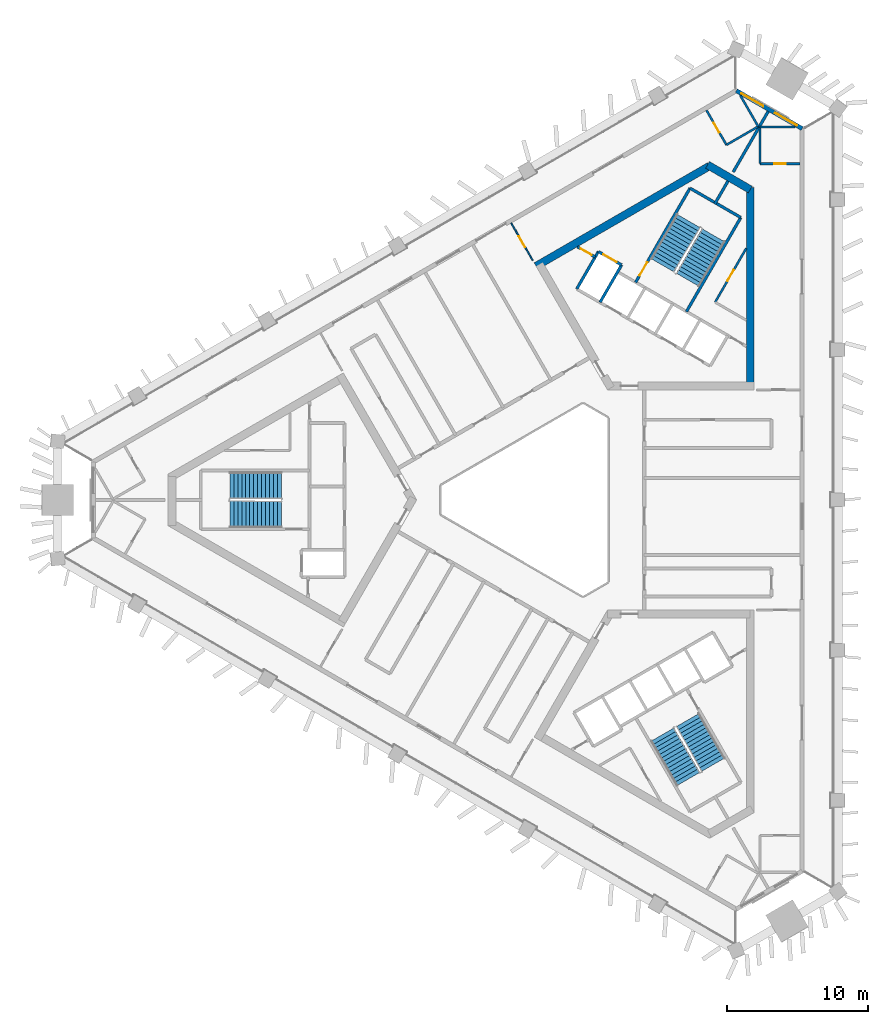
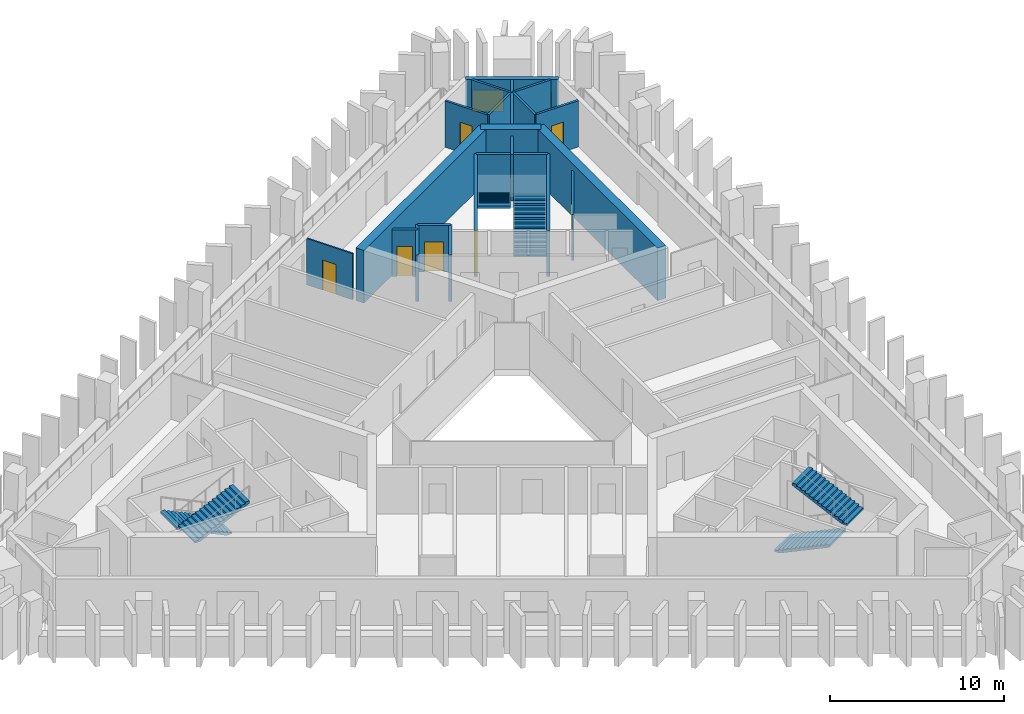
# One storey, part 6 of 9: 21 walls, 7 doors, 6 stair flights, 2 windows, 9 openings, 3 elements without a shape of their own.
"""IFC4 building model written with IfcOpenShell, lengths in metres."""

from ifc_helpers import new_model, si_unit, direction, frame, frame_2d, origin, place, context, subcontext, project, spatial, polyline, rectangle, outline, extrude, material, layer, layer_set, type_object, element, fill, aggregate, save


model = new_model("IFC4")

# Units and contexts
model_context = context("Model", 3, precision=1e-05, world=origin(), true_north=direction((0.0, 1.0)))
body_context = subcontext(model_context, "Body", "Model", "MODEL_VIEW")
ifc_project = project(units=[si_unit("LENGTHUNIT", "METRE"), si_unit("AREAUNIT", "SQUARE_METRE"), si_unit("VOLUMEUNIT", "CUBIC_METRE"), si_unit("PLANEANGLEUNIT", "RADIAN"), si_unit("MASSUNIT", "GRAM", prefix="KILO")], contexts=[model_context])

# Site, building, storey
site_placement = place(None, origin())
site = spatial("IfcSite", under=ifc_project, at=site_placement, CompositionType="ELEMENT")
building_placement = place(site_placement, origin())
building = spatial("IfcBuilding", under=site, at=building_placement, Name="Jabali Bay Hotel Tower and Convention Centre", CompositionType="ELEMENT")
storey_placement = place(building_placement, frame((0.0, 0.0, 189.60009765625)))
storey = spatial("IfcBuildingStorey", under=building, at=storey_placement, Name="L46", CompositionType="ELEMENT", Elevation=189.60009765625)

# Wall
ifc_material_1 = material(Name="Concrete C40", Category="concrete")
ifc_layer_1 = layer(ifc_material_1, 0.199951171875)
ifc_layer_set_1 = layer_set([ifc_layer_1], Name="Concrete C40")
wall_type_1 = type_object("IfcWallType", Name="Core partition wall 200", PredefinedType="PARTITIONING", material=ifc_layer_set_1)
wall_1_placement = place(storey_placement, frame((87.090087890625, 100.9404296875, 0.0), z_axis=(0.0, 0.0, 1.0), x_axis=(0.499951854219, 0.86605319898, 0.0)))
element("IfcWall", 1, at=wall_1_placement, inside=storey, type_object=wall_type_1, Name="Core wall 1.5 L46", PredefinedType="PARTITIONING", context=body_context, shape_type="SweptSolid", body=[
    extrude(rectangle(XDim=1.873291015625, YDim=0.199951171875, at=frame_2d((0.9365234375, 0.0))), origin(), (0.0, 0.0, 1.0), 3.25),
])

# Wall, opening, door
wall_2_placement = place(storey_placement, frame((78.630126953125, 97.187744140625, 0.0), z_axis=(0.0, 0.0, 1.0), x_axis=(-0.866003949776, 0.500037157592, 0.0)))
wall_2 = element("IfcWall", 2, at=wall_2_placement, inside=storey, type_object=wall_type_1, Name="Core wall 1.12 L46", PredefinedType="PARTITIONING", context=body_context, shape_type="SweptSolid", body=[
    extrude(rectangle(XDim=1.455078125, YDim=0.199951171875, at=frame_2d((0.7275390625, 0.0))), origin(), (0.0, 0.0, 1.0), 3.25),
])
opening_1_placement = place(wall_2_placement, frame((0.277587890625, 0.0, 0.0)))
opening_1 = element("IfcOpeningElement", 3, at=opening_1_placement, cuts=wall_2, Name="Opening D998", PredefinedType="OPENING", context=body_context, shape_type="SweptSolid", body=[
    extrude(rectangle(XDim=0.89990234375, YDim=2.10009765625, at=frame_2d((0.449951171875, 1.050048828125))), frame((0.0, 0.1103515625, 0.0), z_axis=(0.0, -1.0, 0.0), x_axis=(1.0, 0.0, 0.0)), (0.0, 0.0, 1.0), 0.220947265625),
])
ifc_material_2 = material(Name="Fire-rated steel door", Category="steel")
door_type_1 = type_object("IfcDoorType", Name="Vestibule fire door 900 x 2100", OperationType="NOTDEFINED", PredefinedType="NOTDEFINED", material=ifc_material_2)
door_1_placement = place(opening_1_placement, origin())
door_1 = element("IfcDoor", 4, at=door_1_placement, inside=storey, type_object=door_type_1, Name="Vestibule fire door D998", OperationType="SINGLE_SWING_LEFT", OverallHeight=2.10009765625, OverallWidth=0.89990234375, PredefinedType="NOTDEFINED", context=body_context, shape_type="SweptSolid", body=[
    extrude(rectangle(XDim=0.89990234375, YDim=2.10009765625, at=frame_2d((0.449951171875, 1.050048828125))), frame((0.0, 0.02490234375, 0.0), z_axis=(0.0, -1.0, 0.0), x_axis=(1.0, 0.0, 0.0)), (0.0, 0.0, 1.0), 0.050048828125),
])
fill(opening_1, door_1)

ifc_material_3 = material(Name="Fire-rated board partition")
ifc_layer_2 = layer(ifc_material_3, 0.14990234375)
ifc_layer_set_2 = layer_set([ifc_layer_2], Name="Fire-rated board partition")
wall_type_2 = type_object("IfcWallType", Name="Core room partition 150", PredefinedType="PARTITIONING", material=ifc_layer_set_2)
wall_3_placement = place(storey_placement, frame((87.12109375, 93.994384765625, 0.0), z_axis=(0.0, 0.0, 1.0), x_axis=(0.500014254795, 0.866017173618, 0.0)))
wall_3 = element("IfcWall", 5, at=wall_3_placement, inside=storey, type_object=wall_type_2, Name="Core wall 1.1 L46", PredefinedType="PARTITIONING", context=body_context, shape_type="SweptSolid", body=[
    extrude(rectangle(XDim=4.417724609375, YDim=0.14990234375, at=frame_2d((2.208984375, 0.0))), origin(), (0.0, 0.0, 1.0), 3.25),
])
opening_2_placement = place(wall_3_placement, frame((1.7314453125, 0.0, 0.0)))
opening_2 = element("IfcOpeningElement", 6, at=opening_2_placement, cuts=wall_3, Name="Opening D1001", PredefinedType="OPENING", context=body_context, shape_type="SweptSolid", body=[
    extrude(rectangle(XDim=0.89990234375, YDim=2.10009765625, at=frame_2d((0.449951171875, 1.050048828125))), frame((0.0, 0.08544921875, 0.0), z_axis=(0.0, -1.0, 0.0), x_axis=(1.0, 0.0, 0.0)), (0.0, 0.0, 1.0), 0.1708984375),
])
door_type_2 = type_object("IfcDoorType", Name="Core room door 900 x 2100", OperationType="NOTDEFINED", PredefinedType="NOTDEFINED", material=ifc_material_2)
door_2_placement = place(opening_2_placement, origin())
door_2 = element("IfcDoor", 7, at=door_2_placement, inside=storey, type_object=door_type_2, Name="Core room door D1001", OperationType="SINGLE_SWING_LEFT", OverallHeight=2.10009765625, OverallWidth=0.89990234375, PredefinedType="NOTDEFINED", context=body_context, shape_type="SweptSolid", body=[
    extrude(rectangle(XDim=0.89990234375, YDim=2.10009765625, at=frame_2d((0.449951171875, 1.050048828125))), frame((0.0, 0.02490234375, 0.0), z_axis=(0.0, -1.0, 0.0), x_axis=(1.0, 0.0, 0.0)), (0.0, 0.0, 1.0), 0.050048828125),
])
fill(opening_2, door_2)

# Wall
ifc_layer_3 = layer(ifc_material_1, 0.199951171875)
ifc_layer_set_3 = layer_set([ifc_layer_3], Name="Concrete C40")
wall_type_3 = type_object("IfcWallType", Name="Core stair wall 200", PredefinedType="SOLIDWALL", material=ifc_layer_set_3)
wall_4_placement = place(storey_placement, frame((85.0869140625, 93.3212890625, 0.0), z_axis=(0.0, 0.0, 1.0), x_axis=(0.500019787375, 0.866013979237, 0.0)))
element("IfcWall", 8, at=wall_4_placement, inside=storey, type_object=wall_type_3, Name="Core wall 1.3 L46", PredefinedType="SOLIDWALL", context=body_context, shape_type="SweptSolid", body=[
    extrude(rectangle(XDim=7.699951171875, YDim=0.199951171875, at=frame_2d((3.85009765625, 0.0))), origin(), (0.0, 0.0, 1.0), 3.25),
])

# Wall, opening, door
wall_5_placement = place(storey_placement, frame((81.492919921875, 95.396240234375, 0.0), z_axis=(0.0, 0.0, 1.0), x_axis=(0.500006057782, 0.866021906294, 0.0)))
wall_5 = element("IfcWall", 9, at=wall_5_placement, inside=storey, type_object=wall_type_3, Name="Core wall 1.7 L46", PredefinedType="SOLIDWALL", context=body_context, shape_type="SweptSolid", body=[
    extrude(rectangle(XDim=7.7001953125, YDim=0.199951171875, at=frame_2d((3.85009765625, 0.0))), origin(), (0.0, 0.0, 1.0), 3.25),
])
opening_3_placement = place(wall_5_placement, frame((0.550048828125, 0.0, 0.0)))
opening_3 = element("IfcOpeningElement", 10, at=opening_3_placement, cuts=wall_5, Name="Opening D1000", PredefinedType="OPENING", context=body_context, shape_type="SweptSolid", body=[
    extrude(rectangle(XDim=1.10009765625, YDim=2.10009765625, at=frame_2d((0.550048828125, 1.050048828125))), frame((0.0, 0.1103515625, 0.0), z_axis=(0.0, -1.0, 0.0), x_axis=(1.0, 0.0, 0.0)), (0.0, 0.0, 1.0), 0.220947265625),
])
door_type_3 = type_object("IfcDoorType", Name="Stair fire door 1100 x 2100", OperationType="NOTDEFINED", PredefinedType="NOTDEFINED", material=ifc_material_2)
door_3_placement = place(opening_3_placement, origin())
door_3 = element("IfcDoor", 11, at=door_3_placement, inside=storey, type_object=door_type_3, Name="Stair fire door D1000", OperationType="SINGLE_SWING_RIGHT", OverallHeight=2.10009765625, OverallWidth=1.10009765625, PredefinedType="NOTDEFINED", context=body_context, shape_type="SweptSolid", body=[
    extrude(rectangle(XDim=1.10009765625, YDim=2.10009765625, at=frame_2d((0.550048828125, 1.050048828125))), frame((0.0, 0.02490234375, 0.0), z_axis=(0.0, -1.0, 0.0), x_axis=(1.0, 0.0, 0.0)), (0.0, 0.0, 1.0), 0.050048828125),
])
fill(opening_3, door_3)

# Walls
for number, where, z_axis, x_axis, name in (
    (12, (78.9755859375, 93.98583984375, 0.0), (0.0, 0.0, 1.0), (0.499944174705, 0.866057632134, 0.0), "Core wall 1.8 L46"),
    (13, (77.330078125, 94.93603515625, 0.0), (0.0, 0.0, 1.0), (0.500038867431, 0.8660029625, 0.0), "Core wall 1.9 L46"),
):
    element("IfcWall", number, at=place(storey_placement, frame(where, z_axis=z_axis, x_axis=x_axis)), inside=storey, type_object=wall_type_3, Name=name, PredefinedType="SOLIDWALL", context=body_context, shape_type="SweptSolid", body=[
        extrude(rectangle(XDim=3.050048828125, YDim=0.199951171875, at=frame_2d((1.52490234375, 0.0))), origin(), (0.0, 0.0, 1.0), 3.25),
    ])

# Wall, opening, door
wall_6_placement = place(storey_placement, frame((80.50048828125, 96.62744140625, 0.0), z_axis=(0.0, 0.0, 1.0), x_axis=(-0.86601224135, 0.500022797313, 0.0)))
wall_6 = element("IfcWall", 14, at=wall_6_placement, inside=storey, type_object=wall_type_3, Name="Core wall 1.13 L46", PredefinedType="SOLIDWALL", context=body_context, shape_type="SweptSolid", body=[
    extrude(rectangle(XDim=1.89990234375, YDim=0.199951171875, at=frame_2d((0.949951171875, 0.0))), origin(), (0.0, 0.0, 1.0), 3.25),
])
opening_4_placement = place(wall_6_placement, frame((0.39990234375, 0.0, 0.0)))
opening_4 = element("IfcOpeningElement", 15, at=opening_4_placement, cuts=wall_6, Name="Opening LD10-L46", PredefinedType="OPENING", context=body_context, shape_type="SweptSolid", body=[
    extrude(rectangle(XDim=1.10009765625, YDim=2.10009765625, at=frame_2d((0.550048828125, 1.050048828125))), frame((0.0, 0.1103515625, 0.0), z_axis=(0.0, -1.0, 0.0), x_axis=(1.0, 0.0, 0.0)), (0.0, 0.0, 1.0), 0.220947265625),
])
ifc_material_4 = material(Name="Stainless steel landing door", Category="steel")
door_type_4 = type_object("IfcDoorType", Name="Landing door 1100 x 2100", OperationType="NOTDEFINED", PredefinedType="NOTDEFINED", material=ifc_material_4)
door_4_placement = place(opening_4_placement, origin())
door_4 = element("IfcDoor", 16, at=door_4_placement, inside=storey, type_object=door_type_4, Name="Landing doors LD10-L46", OperationType="SLIDING_TO_RIGHT", OverallHeight=2.10009765625, OverallWidth=1.10009765625, PredefinedType="NOTDEFINED", context=body_context, shape_type="SweptSolid", body=[
    extrude(rectangle(XDim=1.10009765625, YDim=2.10009765625, at=frame_2d((0.550048828125, 1.050048828125))), frame((0.0, 0.02490234375, 0.0), z_axis=(0.0, -1.0, 0.0), x_axis=(1.0, 0.0, 0.0)), (0.0, 0.0, 1.0), 0.050048828125),
])
fill(opening_4, door_4)

# Walls
wall_7_placement = place(storey_placement, frame((88.93701171875, 99.989501953125, 0.0), z_axis=(0.0, 0.0, 1.0), x_axis=(-0.866004344652, 0.500036473714, 0.0)))
element("IfcWall", 17, at=wall_7_placement, inside=storey, type_object=wall_type_3, Name="Core wall 1.15 L46", PredefinedType="SOLIDWALL", context=body_context, shape_type="SweptSolid", body=[
    extrude(rectangle(XDim=4.150146484375, YDim=0.199951171875, at=frame_2d((2.0751953125, 0.0))), origin(), (0.0, 0.0, 1.0), 3.25),
])
ifc_material_5 = material(Name="Concrete C60", Category="concrete")
ifc_layer_4 = layer(ifc_material_5, 0.550048828125)
ifc_layer_set_4 = layer_set([ifc_layer_4], Name="Concrete C60")
wall_type_4 = type_object("IfcWallType", Name="Core wall 550", PredefinedType="SHEAR", material=ifc_layer_set_4)
wall_8_placement = place(storey_placement, frame((89.60498046875, 88.0693359375, 0.0), z_axis=(0.0, 0.0, 1.0), x_axis=(0.0, 1.0, 0.0)))
element("IfcWall", 18, at=wall_8_placement, inside=storey, type_object=wall_type_4, Name="Core wall 2.2 L46", PredefinedType="SHEAR", context=body_context, shape_type="SweptSolid", body=[
    extrude(rectangle(XDim=14.058349609375, YDim=0.550048828125, at=frame_2d((7.029296875, 0.0))), origin(), (0.0, 0.0, 1.0), 3.699951171875),
])
wall_9_placement = place(storey_placement, frame((89.60498046875, 101.96875, 0.0), z_axis=(0.0, 0.0, 1.0), x_axis=(-0.865997833373, 0.500047750313, 0.0)))
element("IfcWall", 19, at=wall_9_placement, inside=storey, type_object=wall_type_4, Name="Core wall 2.3 L46", PredefinedType="SHEAR", context=body_context, shape_type="SweptSolid", body=[
    extrude(rectangle(XDim=3.486572265625, YDim=0.550048828125, at=frame_2d((1.7431640625, 0.0))), origin(), (0.0, 0.0, 1.0), 3.699951171875),
])
wall_10_placement = place(storey_placement, frame((86.72314453125, 103.6328125, 0.0), z_axis=(0.0, 0.0, 1.0), x_axis=(-0.866023530946, -0.500003243837, 0.0)))
element("IfcWall", 20, at=wall_10_placement, inside=storey, type_object=wall_type_4, Name="Core wall 2.4 L46", PredefinedType="SHEAR", context=body_context, shape_type="SweptSolid", body=[
    extrude(rectangle(XDim=14.1748046875, YDim=0.550048828125, at=frame_2d((7.08740234375, 0.0))), origin(), (0.0, 0.0, 1.0), 3.699951171875),
])

# Wall, openings, windows
ifc_layer_5 = layer(ifc_material_1, 0.300048828125)
ifc_layer_set_5 = layer_set([ifc_layer_5], Name="Concrete C40")
wall_type_5 = type_object("IfcWallType", Name="External wall 300", PredefinedType="SOLIDWALL", material=ifc_layer_set_5)
wall_11_placement = place(storey_placement, frame((88.620849609375, 108.969482421875, 0.0), z_axis=(0.0, 0.0, 1.0), x_axis=(0.866024546342, -0.500001485131, 0.0)))
wall_11 = element("IfcWall", 21, at=wall_11_placement, inside=storey, type_object=wall_type_5, Name="External wall north-east chamfer L46", PredefinedType="SOLIDWALL", context=body_context, shape_type="SweptSolid", body=[
    extrude(rectangle(XDim=5.37744140625, YDim=0.300048828125, at=frame_2d((2.688720703125, 0.0))), origin(), (0.0, 0.0, 1.0), 3.25),
])
opening_5_placement = place(wall_11_placement, frame((3.150146484375, 0.0, 0.89990234375)))
opening_5 = element("IfcOpeningElement", 22, at=opening_5_placement, cuts=wall_11, Name="Opening W1", PredefinedType="OPENING", context=body_context, shape_type="SweptSolid", body=[
    extrude(rectangle(XDim=1.800048828125, YDim=1.5, at=frame_2d((0.89990234375, 0.75))), frame((0.0, 0.16064453125, 0.0), z_axis=(0.0, -1.0, 0.0), x_axis=(1.0, 0.0, 0.0)), (0.0, 0.0, 1.0), 0.321044921875),
])
opening_6_placement = place(wall_11_placement, frame((0.402099609375, 0.0, 0.89990234375)))
opening_6 = element("IfcOpeningElement", 23, at=opening_6_placement, cuts=wall_11, Name="Opening W1", PredefinedType="OPENING", context=body_context, shape_type="SweptSolid", body=[
    extrude(rectangle(XDim=1.800048828125, YDim=1.5, at=frame_2d((0.89990234375, 0.75))), frame((0.0, 0.16064453125, 0.0), z_axis=(0.0, -1.0, 0.0), x_axis=(1.0, 0.0, 0.0)), (0.0, 0.0, 1.0), 0.321044921875),
])
ifc_material_6 = material(Name="Glass", Category="glass")
window_type = type_object("IfcWindowType", Name="Window 1800 x 1500", PartitioningType="SINGLE_PANEL", PredefinedType="WINDOW", material=ifc_material_6)
window_1_placement = place(opening_5_placement, origin())
window_1 = element("IfcWindow", 24, at=window_1_placement, inside=storey, type_object=window_type, Name="Window 4603", OverallHeight=1.5, OverallWidth=1.800048828125, PartitioningType="SINGLE_PANEL", PredefinedType="WINDOW", context=body_context, shape_type="SweptSolid", body=[
    extrude(rectangle(XDim=1.800048828125, YDim=1.5, at=frame_2d((0.89990234375, 0.75))), frame((0.0, 0.030029296875, 0.0), z_axis=(0.0, -1.0, 0.0), x_axis=(1.0, 0.0, 0.0)), (0.0, 0.0, 1.0), 0.06005859375),
])
fill(opening_5, window_1)
window_2_placement = place(opening_6_placement, origin())
window_2 = element("IfcWindow", 25, at=window_2_placement, inside=storey, type_object=window_type, Name="Window 4605", OverallHeight=1.5, OverallWidth=1.800048828125, PartitioningType="SINGLE_PANEL", PredefinedType="WINDOW", context=body_context, shape_type="SweptSolid", body=[
    extrude(rectangle(XDim=1.800048828125, YDim=1.5, at=frame_2d((0.89990234375, 0.75))), frame((0.0, 0.030029296875, 0.0), z_axis=(0.0, -1.0, 0.0), x_axis=(1.0, 0.0, 0.0)), (0.0, 0.0, 1.0), 0.06005859375),
])
fill(opening_6, window_2)

# Wall, opening, door
ifc_material_7 = material(Name="Plasterboard on steel stud", Category="steel")
ifc_layer_6 = layer(ifc_material_7, 0.10009765625)
ifc_layer_set_6 = layer_set([ifc_layer_6], Name="Plasterboard on steel stud")
wall_type_6 = type_object("IfcWallType", Name="Partition 100 unit", PredefinedType="PARTITIONING", material=ifc_layer_set_6)
wall_12_placement = place(storey_placement, frame((74.21044921875, 96.955810546875, 0.0), z_axis=(0.0, 0.0, 1.0), x_axis=(-0.499978833458, 0.866037623948, 0.0)))
wall_12 = element("IfcWall", 26, at=wall_12_placement, inside=storey, type_object=wall_type_6, Name="Partition P02 L46 019", PredefinedType="PARTITIONING", context=body_context, shape_type="SweptSolid", body=[
    extrude(rectangle(XDim=3.050048828125, YDim=0.10009765625, at=frame_2d((1.52490234375, 0.0))), origin(), (0.0, 0.0, 1.0), 3.25),
])
opening_7_placement = place(wall_12_placement, frame((1.074951171875, 0.0, 0.0)))
opening_7 = element("IfcOpeningElement", 27, at=opening_7_placement, cuts=wall_12, Name="Opening 4611", PredefinedType="OPENING", context=body_context, shape_type="SweptSolid", body=[
    extrude(rectangle(XDim=0.89990234375, YDim=2.10009765625, at=frame_2d((0.449951171875, 1.050048828125))), frame((0.0, 0.060546875, 0.0), z_axis=(0.0, -1.0, 0.0), x_axis=(1.0, 0.0, 0.0)), (0.0, 0.0, 1.0), 0.12109375),
])
ifc_material_8 = material(Name="Timber", Category="wood")
door_type_5 = type_object("IfcDoorType", Name="Internal door 900 x 2100", OperationType="NOTDEFINED", PredefinedType="NOTDEFINED", material=ifc_material_8)
door_5_placement = place(opening_7_placement, origin())
door_5 = element("IfcDoor", 28, at=door_5_placement, inside=storey, type_object=door_type_5, Name="Door 4611", OperationType="SINGLE_SWING_RIGHT", OverallHeight=2.10009765625, OverallWidth=0.89990234375, PredefinedType="NOTDEFINED", context=body_context, shape_type="SweptSolid", body=[
    extrude(rectangle(XDim=0.89990234375, YDim=2.10009765625, at=frame_2d((0.449951171875, 1.050048828125))), frame((0.0, 0.02490234375, 0.0), z_axis=(0.0, -1.0, 0.0), x_axis=(1.0, 0.0, 0.0)), (0.0, 0.0, 1.0), 0.050048828125),
])
fill(opening_7, door_5)

ifc_layer_7 = layer(ifc_material_7, 0.14990234375)
ifc_layer_set_7 = layer_set([ifc_layer_7], Name="Plasterboard on steel stud")
wall_type_7 = type_object("IfcWallType", Name="Partition 150 wet", PredefinedType="PARTITIONING", material=ifc_layer_set_7)
wall_13_placement = place(storey_placement, frame((93.12890625, 103.794189453125, 0.0), z_axis=(0.0, 0.0, 1.0), x_axis=(-1.0, 0.0, 0.0)))
wall_13 = element("IfcWall", 29, at=wall_13_placement, inside=storey, type_object=wall_type_7, Name="Partition P03 L46 015", PredefinedType="PARTITIONING", context=body_context, shape_type="SweptSolid", body=[
    extrude(rectangle(XDim=2.827392578125, YDim=0.14990234375, at=frame_2d((1.41357421875, 0.0))), origin(), (0.0, 0.0, 1.0), 3.25),
])
opening_8_placement = place(wall_13_placement, frame((1.013916015625, 0.0, 0.0)))
opening_8 = element("IfcOpeningElement", 30, at=opening_8_placement, cuts=wall_13, Name="Opening 4608", PredefinedType="OPENING", context=body_context, shape_type="SweptSolid", body=[
    extrude(rectangle(XDim=0.800048828125, YDim=2.10009765625, at=frame_2d((0.39990234375, 1.050048828125))), frame((0.0, 0.08544921875, 0.0), z_axis=(0.0, -1.0, 0.0), x_axis=(1.0, 0.0, 0.0)), (0.0, 0.0, 1.0), 0.1708984375),
])
door_type_6 = type_object("IfcDoorType", Name="En-suite door 800 x 2100", OperationType="NOTDEFINED", PredefinedType="NOTDEFINED", material=ifc_material_8)
door_6_placement = place(opening_8_placement, origin())
door_6 = element("IfcDoor", 31, at=door_6_placement, inside=storey, type_object=door_type_6, Name="Door 4608", OperationType="SINGLE_SWING_LEFT", OverallHeight=2.10009765625, OverallWidth=0.800048828125, PredefinedType="NOTDEFINED", context=body_context, shape_type="SweptSolid", body=[
    extrude(rectangle(XDim=0.800048828125, YDim=2.10009765625, at=frame_2d((0.39990234375, 1.050048828125))), frame((0.0, 0.02490234375, 0.0), z_axis=(0.0, -1.0, 0.0), x_axis=(1.0, 0.0, 0.0)), (0.0, 0.0, 1.0), 0.050048828125),
])
fill(opening_8, door_6)

# Walls
wall_14_placement = place(storey_placement, frame((90.301513671875, 103.794189453125, 0.0), z_axis=(0.0, 0.0, 1.0), x_axis=(0.0, 1.0, 0.0)))
element("IfcWall", 32, at=wall_14_placement, inside=storey, type_object=wall_type_7, Name="Partition P03 L46 016", PredefinedType="PARTITIONING", context=body_context, shape_type="SweptSolid", body=[
    extrude(rectangle(XDim=2.60009765625, YDim=0.14990234375, at=frame_2d((1.300048828125, 0.0))), origin(), (0.0, 0.0, 1.0), 3.25),
])
wall_15_placement = place(storey_placement, frame((90.301513671875, 106.394287109375, 0.0), z_axis=(0.0, 0.0, 1.0), x_axis=(1.0, 0.0, 0.0)))
element("IfcWall", 33, at=wall_15_placement, inside=storey, type_object=wall_type_7, Name="Partition P03 L46 017", PredefinedType="PARTITIONING", context=body_context, shape_type="SweptSolid", body=[
    extrude(rectangle(XDim=2.481689453125, YDim=0.14990234375, at=frame_2d((1.24072265625, 0.0))), origin(), (0.0, 0.0, 1.0), 3.25),
])
wall_16_placement = place(storey_placement, frame((88.8984375, 108.636962890625, 0.0), z_axis=(0.0, 0.0, 1.0), x_axis=(0.500031897912, -0.866006986733, 0.0)))
element("IfcWall", 34, at=wall_16_placement, inside=storey, type_object=wall_type_7, Name="Partition P03 L46 021", PredefinedType="PARTITIONING", context=body_context, shape_type="SweptSolid", body=[
    extrude(rectangle(XDim=2.549560546875, YDim=0.14990234375, at=frame_2d((1.27490234375, 0.0))), origin(), (0.0, 0.0, 1.0), 3.25),
])
wall_17_placement = place(storey_placement, frame((90.17333984375, 106.428955078125, 0.0), z_axis=(0.0, 0.0, 1.0), x_axis=(-0.866021400173, -0.500006934395, 0.0)))
element("IfcWall", 35, at=wall_17_placement, inside=storey, type_object=wall_type_7, Name="Partition P03 L46 022", PredefinedType="PARTITIONING", context=body_context, shape_type="SweptSolid", body=[
    extrude(rectangle(XDim=2.60009765625, YDim=0.14990234375, at=frame_2d((1.300048828125, 0.0))), origin(), (0.0, 0.0, 1.0), 3.25),
])

# Wall, opening, door
wall_18_placement = place(storey_placement, frame((87.921630859375, 105.12890625, 0.0), z_axis=(0.0, 0.0, 1.0), x_axis=(-0.499946688677, 0.866056180903, 0.0)))
wall_18 = element("IfcWall", 36, at=wall_18_placement, inside=storey, type_object=wall_type_7, Name="Partition P03 L46 023", PredefinedType="PARTITIONING", context=body_context, shape_type="SweptSolid", body=[
    extrude(rectangle(XDim=2.827392578125, YDim=0.14990234375, at=frame_2d((1.41357421875, 0.0))), origin(), (0.0, 0.0, 1.0), 3.25),
])
opening_9_placement = place(wall_18_placement, frame((1.013916015625, 0.0, 0.0)))
opening_9 = element("IfcOpeningElement", 37, at=opening_9_placement, cuts=wall_18, Name="Opening 4612", PredefinedType="OPENING", context=body_context, shape_type="SweptSolid", body=[
    extrude(rectangle(XDim=0.800048828125, YDim=2.10009765625, at=frame_2d((0.39990234375, 1.050048828125))), frame((0.0, 0.08544921875, 0.0), z_axis=(0.0, -1.0, 0.0), x_axis=(1.0, 0.0, 0.0)), (0.0, 0.0, 1.0), 0.1708984375),
])
door_7_placement = place(opening_9_placement, origin())
door_7 = element("IfcDoor", 38, at=door_7_placement, inside=storey, type_object=door_type_6, Name="Door 4612", OperationType="SINGLE_SWING_LEFT", OverallHeight=2.10009765625, OverallWidth=0.800048828125, PredefinedType="NOTDEFINED", context=body_context, shape_type="SweptSolid", body=[
    extrude(rectangle(XDim=0.800048828125, YDim=2.10009765625, at=frame_2d((0.39990234375, 1.050048828125))), frame((0.0, 0.02490234375, 0.0), z_axis=(0.0, -1.0, 0.0), x_axis=(1.0, 0.0, 0.0)), (0.0, 0.0, 1.0), 0.050048828125),
])
fill(opening_9, door_7)

# Wall
ifc_layer_8 = layer(ifc_material_7, 0.199951171875)
ifc_layer_set_8 = layer_set([ifc_layer_8], Name="Plasterboard on steel stud")
wall_type_8 = type_object("IfcWallType", Name="Partition 200 party", PredefinedType="PARTITIONING", material=ifc_layer_set_8)
wall_19_placement = place(storey_placement, frame((90.874755859375, 107.49609375, 0.0), z_axis=(0.0, 0.0, 1.0), x_axis=(-0.499960231075, -0.866048363166, 0.0)))
element("IfcWall", 39, at=wall_19_placement, inside=storey, type_object=wall_type_8, Name="Partition P01 L46 018", PredefinedType="PARTITIONING", context=body_context, shape_type="SweptSolid", body=[
    extrude(rectangle(XDim=4.94775390625, YDim=0.199951171875, at=frame_2d((2.473876953125, 0.0))), origin(), (0.0, 0.0, 1.0), 3.25),
])

# Stair, stair flights
stair_type = type_object("IfcStairType", Name="Exit stair 1900", PredefinedType="HALF_TURN_STAIR", material=ifc_material_1)
stair_1_placement = place(storey_placement, origin())
stair_1 = element("IfcStair", 40, at=stair_1_placement, inside=storey, type_object=stair_type, Name="L46 Exit Stair 1", PredefinedType="HALF_TURN_STAIR")
stair_flight_type = type_object("IfcStairFlightType", Name="Stair flight concrete 150", PredefinedType="STRAIGHT", material=ifc_material_1)
stair_flight_1_placement = place(storey_placement, frame((56.419921875, 81.02490234375, 0.0), z_axis=(0.0, 0.0, 1.0), x_axis=(-1.0, 0.0, 0.0)))
stair_flight_1 = element("IfcStairFlight", 41, at=stair_flight_1_placement, type_object=stair_flight_type, Name="ST1 flight 1", NumberOfRisers=14, NumberOfTreads=13, PredefinedType="STRAIGHT", RiserHeight=0.132142857, TreadLength=0.28, context=body_context, shape_type="SweptSolid", body=[
    extrude(outline(polyline([(0.0, 0.0), (0.0, 0.132080078125), (0.280029296875, 0.132080078125), (0.280029296875, 0.264404296875), (0.56005859375, 0.264404296875), (0.56005859375, 0.396484375), (0.840087890625, 0.396484375), (0.840087890625, 0.528564453125), (1.1201171875, 0.528564453125), (1.1201171875, 0.66064453125), (1.39990234375, 0.66064453125), (1.39990234375, 0.79296875), (1.679931640625, 0.79296875), (1.679931640625, 0.925048828125), (1.9599609375, 0.925048828125), (1.9599609375, 1.05712890625), (2.239990234375, 1.05712890625), (2.239990234375, 1.189208984375), (2.52001953125, 1.189208984375), (2.52001953125, 1.321533203125), (2.800048828125, 1.321533203125), (2.800048828125, 1.45361328125), (3.080078125, 1.45361328125), (3.080078125, 1.585693359375), (3.360107421875, 1.585693359375), (3.360107421875, 1.7177734375), (3.639892578125, 1.7177734375), (3.639892578125, 1.85009765625), (3.639892578125, 1.552001953125), (0.351318359375, 0.0), (0.0, 0.0)])), frame((0.0, 0.949951171875, 0.0), z_axis=(0.0, -1.0, 0.0), x_axis=(1.0, 0.0, 0.0)), (0.0, 0.0, 1.0), 1.89990234375),
])
stair_flight_2_placement = place(storey_placement, frame((52.780029296875, 78.97509765625, 1.849853515625), z_axis=(0.0, 0.0, 1.0), x_axis=(1.0, 0.0, 0.0)))
stair_flight_2 = element("IfcStairFlight", 42, at=stair_flight_2_placement, type_object=stair_flight_type, Name="ST1 flight 2", NumberOfRisers=14, NumberOfTreads=13, PredefinedType="STRAIGHT", RiserHeight=0.132142857, TreadLength=0.28, context=body_context, shape_type="SweptSolid", body=[
    extrude(outline(polyline([(0.0, 0.0), (0.0, 0.132080078125), (0.280029296875, 0.132080078125), (0.280029296875, 0.264404296875), (0.56005859375, 0.264404296875), (0.56005859375, 0.396484375), (0.840087890625, 0.396484375), (0.840087890625, 0.528564453125), (1.1201171875, 0.528564453125), (1.1201171875, 0.66064453125), (1.39990234375, 0.66064453125), (1.39990234375, 0.79296875), (1.679931640625, 0.79296875), (1.679931640625, 0.925048828125), (1.9599609375, 0.925048828125), (1.9599609375, 1.05712890625), (2.239990234375, 1.05712890625), (2.239990234375, 1.189208984375), (2.52001953125, 1.189208984375), (2.52001953125, 1.321533203125), (2.800048828125, 1.321533203125), (2.800048828125, 1.45361328125), (3.080078125, 1.45361328125), (3.080078125, 1.585693359375), (3.360107421875, 1.585693359375), (3.360107421875, 1.7177734375), (3.639892578125, 1.7177734375), (3.639892578125, 1.85009765625), (3.639892578125, 1.552001953125), (0.351318359375, 0.0), (0.0, 0.0)])), frame((0.0, 0.949951171875, 0.0), z_axis=(0.0, -1.0, 0.0), x_axis=(1.0, 0.0, 0.0)), (0.0, 0.0, 1.0), 1.89990234375),
])
aggregate(stair_1, [stair_flight_1, stair_flight_2])

stair_2_placement = place(storey_placement, origin())
stair_2 = element("IfcStair", 43, at=stair_2_placement, inside=storey, type_object=stair_type, Name="L46 Exit Stair 2", PredefinedType="HALF_TURN_STAIR")
stair_flight_3_placement = place(storey_placement, frame((85.177734375, 95.578369140625, 0.0), z_axis=(0.0, 0.0, 1.0), x_axis=(0.5, 0.866025403784, 0.0)))
stair_flight_3 = element("IfcStairFlight", 44, at=stair_flight_3_placement, type_object=stair_flight_type, Name="ST2 flight 1", NumberOfRisers=14, NumberOfTreads=13, PredefinedType="STRAIGHT", RiserHeight=0.132142857, TreadLength=0.28, context=body_context, shape_type="SweptSolid", body=[
    extrude(outline(polyline([(0.0, 0.0), (0.0, 0.132080078125), (0.280029296875, 0.132080078125), (0.280029296875, 0.264404296875), (0.56005859375, 0.264404296875), (0.56005859375, 0.396484375), (0.840087890625, 0.396484375), (0.840087890625, 0.528564453125), (1.1201171875, 0.528564453125), (1.1201171875, 0.66064453125), (1.39990234375, 0.66064453125), (1.39990234375, 0.79296875), (1.679931640625, 0.79296875), (1.679931640625, 0.925048828125), (1.9599609375, 0.925048828125), (1.9599609375, 1.05712890625), (2.239990234375, 1.05712890625), (2.239990234375, 1.189208984375), (2.52001953125, 1.189208984375), (2.52001953125, 1.321533203125), (2.800048828125, 1.321533203125), (2.800048828125, 1.45361328125), (3.080078125, 1.45361328125), (3.080078125, 1.585693359375), (3.360107421875, 1.585693359375), (3.360107421875, 1.7177734375), (3.639892578125, 1.7177734375), (3.639892578125, 1.85009765625), (3.639892578125, 1.552001953125), (0.351318359375, 0.0), (0.0, 0.0)])), frame((0.0, 0.949951171875, 0.0), z_axis=(0.0, -1.0, 0.0), x_axis=(1.0, 0.0, 0.0)), (0.0, 0.0, 1.0), 1.89990234375),
])
stair_flight_4_placement = place(storey_placement, frame((85.222412109375, 99.755615234375, 1.849853515625), z_axis=(0.0, 0.0, 1.0), x_axis=(-0.5, -0.866025403784, 0.0)))
stair_flight_4 = element("IfcStairFlight", 45, at=stair_flight_4_placement, type_object=stair_flight_type, Name="ST2 flight 2", NumberOfRisers=14, NumberOfTreads=13, PredefinedType="STRAIGHT", RiserHeight=0.132142857, TreadLength=0.28, context=body_context, shape_type="SweptSolid", body=[
    extrude(outline(polyline([(0.0, 0.0), (0.0, 0.132080078125), (0.280029296875, 0.132080078125), (0.280029296875, 0.264404296875), (0.56005859375, 0.264404296875), (0.56005859375, 0.396484375), (0.840087890625, 0.396484375), (0.840087890625, 0.528564453125), (1.1201171875, 0.528564453125), (1.1201171875, 0.66064453125), (1.39990234375, 0.66064453125), (1.39990234375, 0.79296875), (1.679931640625, 0.79296875), (1.679931640625, 0.925048828125), (1.9599609375, 0.925048828125), (1.9599609375, 1.05712890625), (2.239990234375, 1.05712890625), (2.239990234375, 1.189208984375), (2.52001953125, 1.189208984375), (2.52001953125, 1.321533203125), (2.800048828125, 1.321533203125), (2.800048828125, 1.45361328125), (3.080078125, 1.45361328125), (3.080078125, 1.585693359375), (3.360107421875, 1.585693359375), (3.360107421875, 1.7177734375), (3.639892578125, 1.7177734375), (3.639892578125, 1.85009765625), (3.639892578125, 1.552001953125), (0.351318359375, 0.0), (0.0, 0.0)])), frame((0.0, 0.949951171875, 0.0), z_axis=(0.0, -1.0, 0.0), x_axis=(1.0, 0.0, 0.0)), (0.0, 0.0, 1.0), 1.89990234375),
])
aggregate(stair_2, [stair_flight_3, stair_flight_4])

stair_3_placement = place(storey_placement, origin())
stair_3 = element("IfcStair", 46, at=stair_3_placement, inside=storey, type_object=stair_type, Name="L46 Exit Stair 3", PredefinedType="HALF_TURN_STAIR")
stair_flight_5_placement = place(storey_placement, frame((83.40234375, 63.396728515625, 0.0), z_axis=(0.0, 0.0, 1.0), x_axis=(0.5, -0.866025403784, 0.0)))
stair_flight_5 = element("IfcStairFlight", 47, at=stair_flight_5_placement, type_object=stair_flight_type, Name="ST3 flight 1", NumberOfRisers=14, NumberOfTreads=13, PredefinedType="STRAIGHT", RiserHeight=0.132142857, TreadLength=0.28, context=body_context, shape_type="SweptSolid", body=[
    extrude(outline(polyline([(0.0, 0.0), (0.0, 0.132080078125), (0.280029296875, 0.132080078125), (0.280029296875, 0.264404296875), (0.56005859375, 0.264404296875), (0.56005859375, 0.396484375), (0.840087890625, 0.396484375), (0.840087890625, 0.528564453125), (1.1201171875, 0.528564453125), (1.1201171875, 0.66064453125), (1.39990234375, 0.66064453125), (1.39990234375, 0.79296875), (1.679931640625, 0.79296875), (1.679931640625, 0.925048828125), (1.9599609375, 0.925048828125), (1.9599609375, 1.05712890625), (2.239990234375, 1.05712890625), (2.239990234375, 1.189208984375), (2.52001953125, 1.189208984375), (2.52001953125, 1.321533203125), (2.800048828125, 1.321533203125), (2.800048828125, 1.45361328125), (3.080078125, 1.45361328125), (3.080078125, 1.585693359375), (3.360107421875, 1.585693359375), (3.360107421875, 1.7177734375), (3.639892578125, 1.7177734375), (3.639892578125, 1.85009765625), (3.639892578125, 1.552001953125), (0.351318359375, 0.0), (0.0, 0.0)])), frame((0.0, 0.949951171875, 0.0), z_axis=(0.0, -1.0, 0.0), x_axis=(1.0, 0.0, 0.0)), (0.0, 0.0, 1.0), 1.89990234375),
])
stair_flight_6_placement = place(storey_placement, frame((86.99755859375, 61.26953125, 1.849853515625), z_axis=(0.0, 0.0, 1.0), x_axis=(-0.5, 0.866025403784, 0.0)))
stair_flight_6 = element("IfcStairFlight", 48, at=stair_flight_6_placement, type_object=stair_flight_type, Name="ST3 flight 2", NumberOfRisers=14, NumberOfTreads=13, PredefinedType="STRAIGHT", RiserHeight=0.132142857, TreadLength=0.28, context=body_context, shape_type="SweptSolid", body=[
    extrude(outline(polyline([(0.0, 0.0), (0.0, 0.132080078125), (0.280029296875, 0.132080078125), (0.280029296875, 0.264404296875), (0.56005859375, 0.264404296875), (0.56005859375, 0.396484375), (0.840087890625, 0.396484375), (0.840087890625, 0.528564453125), (1.1201171875, 0.528564453125), (1.1201171875, 0.66064453125), (1.39990234375, 0.66064453125), (1.39990234375, 0.79296875), (1.679931640625, 0.79296875), (1.679931640625, 0.925048828125), (1.9599609375, 0.925048828125), (1.9599609375, 1.05712890625), (2.239990234375, 1.05712890625), (2.239990234375, 1.189208984375), (2.52001953125, 1.189208984375), (2.52001953125, 1.321533203125), (2.800048828125, 1.321533203125), (2.800048828125, 1.45361328125), (3.080078125, 1.45361328125), (3.080078125, 1.585693359375), (3.360107421875, 1.585693359375), (3.360107421875, 1.7177734375), (3.639892578125, 1.7177734375), (3.639892578125, 1.85009765625), (3.639892578125, 1.552001953125), (0.351318359375, 0.0), (0.0, 0.0)])), frame((0.0, 0.949951171875, 0.0), z_axis=(0.0, -1.0, 0.0), x_axis=(1.0, 0.0, 0.0)), (0.0, 0.0, 1.0), 1.89990234375),
])
aggregate(stair_3, [stair_flight_5, stair_flight_6])

save(model, "model.ifc")
